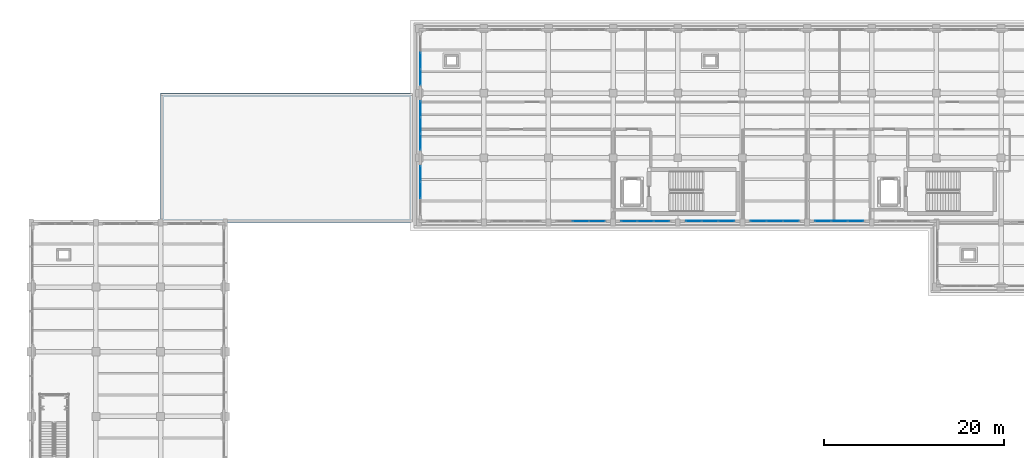
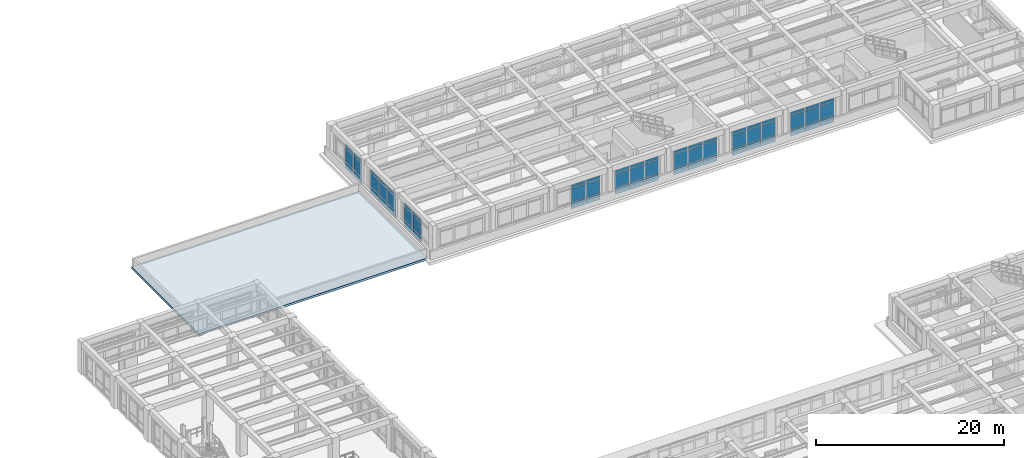
# One storey, part 42 of 69: 63 plates, 1 slab, 8 elements without a shape of their own.
"""IFC4 building model written with IfcOpenShell, lengths in metres."""

from ifc_helpers import new_model, si_unit, direction, frame, origin, origin_2d, place, context, subcontext, project, spatial, polyline, rectangle, outline, extrude, material, layer, layer_set, type_object, element, aggregate, save


model = new_model("IFC4")

# Units and contexts
model_context = context("Model", 3, precision=1e-05, world=origin(), true_north=direction((0.0, 1.0)))
body_context = subcontext(model_context, "Body", "Model", "MODEL_VIEW")
ifc_project = project(units=[si_unit("LENGTHUNIT", "METRE"), si_unit("AREAUNIT", "SQUARE_METRE"), si_unit("VOLUMEUNIT", "CUBIC_METRE"), si_unit("PLANEANGLEUNIT", "RADIAN"), si_unit("MASSUNIT", "GRAM", prefix="KILO")], contexts=[model_context])

# Site, building, storey
site_placement = place(None, origin())
site = spatial("IfcSite", under=ifc_project, at=site_placement, CompositionType="ELEMENT")
building_placement = place(site_placement, origin())
building = spatial("IfcBuilding", under=site, at=building_placement, Name="Solenvale Faculty of Natural Sciences", CompositionType="ELEMENT")
storey_placement = place(building_placement, frame((0.0, 0.0, 4.5)))
storey = spatial("IfcBuildingStorey", under=building, at=storey_placement, Name="L01", CompositionType="ELEMENT", Elevation=4.5)

# Curtain wall, plates
ifc_material_1 = material(Name="Anodised bronze aluminium", Category="aluminium")
ifc_layer_1 = layer(ifc_material_1, 0.179931640625)
ifc_layer_set_1 = layer_set([ifc_layer_1], Name="Anodised bronze aluminium")
curtain_wall_type = type_object("IfcCurtainWallType", Name="CW-TWR-MOD", PredefinedType="USERDEFINED", material=ifc_layer_set_1)
curtain_wall_1_placement = place(storey_placement, origin())
curtain_wall_1 = element("IfcCurtainWall", 1, at=curtain_wall_1_placement, inside=storey, type_object=curtain_wall_type, Name="L01 Curtain Wall CW-L01-P2-E5-B1", ObjectType="UNITISED CURTAIN WALL", PredefinedType="USERDEFINED")
ifc_material_2 = material(Name="North-light skylight glass", Category="glass")
ifc_layer_2 = layer(ifc_material_2, 0.028076171875)
ifc_layer_set_2 = layer_set([ifc_layer_2], Name="North-light skylight glass")
plate_type_1 = type_object("IfcPlateType", Name="CWP-PNL-28", PredefinedType="CURTAIN_PANEL", material=ifc_layer_set_2)
plate_1_placement = place(storey_placement, frame((79.342529296875, 111.60009765625, 0.074951171875), z_axis=(0.0, 0.0, 1.0), x_axis=(0.0, -1.0, 0.0)))
plate_1 = element("IfcPlate", 2, at=plate_1_placement, type_object=plate_type_1, Name="CW-04 panel 2.1", PredefinedType="CURTAIN_PANEL", context=body_context, shape_type="SweptSolid", body=[
    extrude(rectangle(XDim=1.75830078125, YDim=0.028076171875, at=origin_2d()), origin(), (0.0, 0.0, 1.0), 0.78759765625),
])
plate_2_placement = place(storey_placement, frame((79.342529296875, 111.60009765625, 0.9375), z_axis=(0.0, 0.0, 1.0), x_axis=(0.0, -1.0, 0.0)))
plate_2 = element("IfcPlate", 3, at=plate_2_placement, type_object=plate_type_1, Name="CW-04 panel 2.2", PredefinedType="CURTAIN_PANEL", context=body_context, shape_type="SweptSolid", body=[
    extrude(rectangle(XDim=1.75830078125, YDim=0.028076171875, at=origin_2d()), origin(), (0.0, 0.0, 1.0), 1.784912109375),
])
plate_3_placement = place(storey_placement, frame((79.342529296875, 111.60009765625, 2.79736328125), z_axis=(0.0, 0.0, 1.0), x_axis=(0.0, -1.0, 0.0)))
plate_3 = element("IfcPlate", 4, at=plate_3_placement, type_object=plate_type_1, Name="CW-04 panel 2.3", PredefinedType="CURTAIN_PANEL", context=body_context, shape_type="SweptSolid", body=[
    extrude(rectangle(XDim=1.75830078125, YDim=0.028076171875, at=origin_2d()), origin(), (0.0, 0.0, 1.0), 0.387451171875),
])
plate_4_placement = place(storey_placement, frame((79.342529296875, 109.785400390625, 0.074951171875), z_axis=(0.0, 0.0, 1.0), x_axis=(0.0, -1.0, 0.0)))
plate_4 = element("IfcPlate", 5, at=plate_4_placement, type_object=plate_type_1, Name="CW-04 panel 3.1", PredefinedType="CURTAIN_PANEL", context=body_context, shape_type="SweptSolid", body=[
    extrude(rectangle(XDim=1.720947265625, YDim=0.028076171875, at=origin_2d()), origin(), (0.0, 0.0, 1.0), 0.78759765625),
])
plate_5_placement = place(storey_placement, frame((79.342529296875, 109.785400390625, 0.9375), z_axis=(0.0, 0.0, 1.0), x_axis=(0.0, -1.0, 0.0)))
plate_5 = element("IfcPlate", 6, at=plate_5_placement, type_object=plate_type_1, Name="CW-04 panel 3.2", PredefinedType="CURTAIN_PANEL", context=body_context, shape_type="SweptSolid", body=[
    extrude(rectangle(XDim=1.720947265625, YDim=0.028076171875, at=origin_2d()), origin(), (0.0, 0.0, 1.0), 1.784912109375),
])
plate_6_placement = place(storey_placement, frame((79.342529296875, 109.785400390625, 2.79736328125), z_axis=(0.0, 0.0, 1.0), x_axis=(0.0, -1.0, 0.0)))
plate_6 = element("IfcPlate", 7, at=plate_6_placement, type_object=plate_type_1, Name="CW-04 panel 3.3", PredefinedType="CURTAIN_PANEL", context=body_context, shape_type="SweptSolid", body=[
    extrude(rectangle(XDim=1.720947265625, YDim=0.028076171875, at=origin_2d()), origin(), (0.0, 0.0, 1.0), 0.387451171875),
])
aggregate(curtain_wall_1, [plate_1, plate_2, plate_3, plate_4, plate_5, plate_6])

curtain_wall_2_placement = place(storey_placement, origin())
curtain_wall_2 = element("IfcCurtainWall", 8, at=curtain_wall_2_placement, inside=storey, type_object=curtain_wall_type, Name="L01 Curtain Wall CW-L01-P2-E5-B2", ObjectType="UNITISED CURTAIN WALL", PredefinedType="USERDEFINED")
ifc_material_3 = material(Name="Triple low-E insulated glass", Category="glass")
ifc_layer_3 = layer(ifc_material_3, 0.031982421875)
ifc_layer_set_3 = layer_set([ifc_layer_3], Name="Triple low-E insulated glass")
plate_type_2 = type_object("IfcPlateType", Name="CWP-PNL-32", PredefinedType="CURTAIN_PANEL", material=ifc_layer_set_3)
plate_7_placement = place(storey_placement, frame((79.342529296875, 106.214599609375, 0.074951171875), z_axis=(0.0, 0.0, 1.0), x_axis=(0.0, -1.0, 0.0)))
plate_7 = element("IfcPlate", 9, at=plate_7_placement, type_object=plate_type_2, Name="CW-04 panel 1.1", PredefinedType="CURTAIN_PANEL", context=body_context, shape_type="SweptSolid", body=[
    extrude(rectangle(XDim=1.720947265625, YDim=0.031982421875, at=origin_2d()), origin(), (0.0, 0.0, 1.0), 0.78759765625),
])
plate_8_placement = place(storey_placement, frame((79.342529296875, 106.214599609375, 0.9375), z_axis=(0.0, 0.0, 1.0), x_axis=(0.0, -1.0, 0.0)))
plate_8 = element("IfcPlate", 10, at=plate_8_placement, type_object=plate_type_2, Name="CW-04 panel 1.2", PredefinedType="CURTAIN_PANEL", context=body_context, shape_type="SweptSolid", body=[
    extrude(rectangle(XDim=1.720947265625, YDim=0.031982421875, at=origin_2d()), origin(), (0.0, 0.0, 1.0), 1.784912109375),
])
plate_9_placement = place(storey_placement, frame((79.342529296875, 106.214599609375, 2.79736328125), z_axis=(0.0, 0.0, 1.0), x_axis=(0.0, -1.0, 0.0)))
plate_9 = element("IfcPlate", 11, at=plate_9_placement, type_object=plate_type_2, Name="CW-04 panel 1.3", PredefinedType="CURTAIN_PANEL", context=body_context, shape_type="SweptSolid", body=[
    extrude(rectangle(XDim=1.720947265625, YDim=0.031982421875, at=origin_2d()), origin(), (0.0, 0.0, 1.0), 0.387451171875),
])
plate_10_placement = place(storey_placement, frame((79.342529296875, 104.39990234375, 0.074951171875), z_axis=(0.0, 0.0, 1.0), x_axis=(0.0, -1.0, 0.0)))
plate_10 = element("IfcPlate", 12, at=plate_10_placement, type_object=plate_type_2, Name="CW-04 panel 2.1", PredefinedType="CURTAIN_PANEL", context=body_context, shape_type="SweptSolid", body=[
    extrude(rectangle(XDim=1.75830078125, YDim=0.031982421875, at=origin_2d()), origin(), (0.0, 0.0, 1.0), 0.78759765625),
])
plate_11_placement = place(storey_placement, frame((79.342529296875, 104.39990234375, 0.9375), z_axis=(0.0, 0.0, 1.0), x_axis=(0.0, -1.0, 0.0)))
plate_11 = element("IfcPlate", 13, at=plate_11_placement, type_object=plate_type_2, Name="CW-04 panel 2.2", PredefinedType="CURTAIN_PANEL", context=body_context, shape_type="SweptSolid", body=[
    extrude(rectangle(XDim=1.75830078125, YDim=0.031982421875, at=origin_2d()), origin(), (0.0, 0.0, 1.0), 1.784912109375),
])
plate_12_placement = place(storey_placement, frame((79.342529296875, 104.39990234375, 2.79736328125), z_axis=(0.0, 0.0, 1.0), x_axis=(0.0, -1.0, 0.0)))
plate_12 = element("IfcPlate", 14, at=plate_12_placement, type_object=plate_type_2, Name="CW-04 panel 2.3", PredefinedType="CURTAIN_PANEL", context=body_context, shape_type="SweptSolid", body=[
    extrude(rectangle(XDim=1.75830078125, YDim=0.031982421875, at=origin_2d()), origin(), (0.0, 0.0, 1.0), 0.387451171875),
])
plate_13_placement = place(storey_placement, frame((79.342529296875, 102.58544921875, 0.074951171875), z_axis=(0.0, 0.0, 1.0), x_axis=(0.0, -1.0, 0.0)))
plate_13 = element("IfcPlate", 15, at=plate_13_placement, type_object=plate_type_2, Name="CW-04 panel 3.1", PredefinedType="CURTAIN_PANEL", context=body_context, shape_type="SweptSolid", body=[
    extrude(rectangle(XDim=1.720947265625, YDim=0.031982421875, at=origin_2d()), origin(), (0.0, 0.0, 1.0), 0.78759765625),
])
plate_14_placement = place(storey_placement, frame((79.342529296875, 102.58544921875, 0.9375), z_axis=(0.0, 0.0, 1.0), x_axis=(0.0, -1.0, 0.0)))
plate_14 = element("IfcPlate", 16, at=plate_14_placement, type_object=plate_type_2, Name="CW-04 panel 3.2", PredefinedType="CURTAIN_PANEL", context=body_context, shape_type="SweptSolid", body=[
    extrude(rectangle(XDim=1.720947265625, YDim=0.031982421875, at=origin_2d()), origin(), (0.0, 0.0, 1.0), 1.784912109375),
])
plate_15_placement = place(storey_placement, frame((79.342529296875, 102.58544921875, 2.79736328125), z_axis=(0.0, 0.0, 1.0), x_axis=(0.0, -1.0, 0.0)))
plate_15 = element("IfcPlate", 17, at=plate_15_placement, type_object=plate_type_2, Name="CW-04 panel 3.3", PredefinedType="CURTAIN_PANEL", context=body_context, shape_type="SweptSolid", body=[
    extrude(rectangle(XDim=1.720947265625, YDim=0.031982421875, at=origin_2d()), origin(), (0.0, 0.0, 1.0), 0.387451171875),
])
aggregate(curtain_wall_2, [plate_7, plate_8, plate_9, plate_10, plate_11, plate_12, plate_13, plate_14, plate_15])

curtain_wall_3_placement = place(storey_placement, origin())
curtain_wall_3 = element("IfcCurtainWall", 18, at=curtain_wall_3_placement, inside=storey, type_object=curtain_wall_type, Name="L01 Curtain Wall CW-L01-P2-E5-B3", ObjectType="UNITISED CURTAIN WALL", PredefinedType="USERDEFINED")
ifc_layer_4 = layer(ifc_material_3, 0.035888671875)
ifc_layer_set_4 = layer_set([ifc_layer_4], Name="Triple low-E insulated glass")
plate_type_3 = type_object("IfcPlateType", Name="CWP-PNL-36", PredefinedType="CURTAIN_PANEL", material=ifc_layer_set_4)
plate_16_placement = place(storey_placement, frame((79.342529296875, 99.0146484375, 0.074951171875), z_axis=(0.0, 0.0, 1.0), x_axis=(0.0, -1.0, 0.0)))
plate_16 = element("IfcPlate", 19, at=plate_16_placement, type_object=plate_type_3, Name="CW-04 panel 1.1", PredefinedType="CURTAIN_PANEL", context=body_context, shape_type="SweptSolid", body=[
    extrude(rectangle(XDim=1.720947265625, YDim=0.035888671875, at=origin_2d()), origin(), (0.0, 0.0, 1.0), 0.78759765625),
])
plate_17_placement = place(storey_placement, frame((79.342529296875, 99.0146484375, 0.9375), z_axis=(0.0, 0.0, 1.0), x_axis=(0.0, -1.0, 0.0)))
plate_17 = element("IfcPlate", 20, at=plate_17_placement, type_object=plate_type_3, Name="CW-04 panel 1.2", PredefinedType="CURTAIN_PANEL", context=body_context, shape_type="SweptSolid", body=[
    extrude(rectangle(XDim=1.720947265625, YDim=0.035888671875, at=origin_2d()), origin(), (0.0, 0.0, 1.0), 1.784912109375),
])
plate_18_placement = place(storey_placement, frame((79.342529296875, 99.0146484375, 2.79736328125), z_axis=(0.0, 0.0, 1.0), x_axis=(0.0, -1.0, 0.0)))
plate_18 = element("IfcPlate", 21, at=plate_18_placement, type_object=plate_type_3, Name="CW-04 panel 1.3", PredefinedType="CURTAIN_PANEL", context=body_context, shape_type="SweptSolid", body=[
    extrude(rectangle(XDim=1.720947265625, YDim=0.035888671875, at=origin_2d()), origin(), (0.0, 0.0, 1.0), 0.387451171875),
])
plate_19_placement = place(storey_placement, frame((79.342529296875, 97.199951171875, 0.074951171875), z_axis=(0.0, 0.0, 1.0), x_axis=(0.0, -1.0, 0.0)))
plate_19 = element("IfcPlate", 22, at=plate_19_placement, type_object=plate_type_3, Name="CW-04 panel 2.1", PredefinedType="CURTAIN_PANEL", context=body_context, shape_type="SweptSolid", body=[
    extrude(rectangle(XDim=1.75830078125, YDim=0.035888671875, at=origin_2d()), origin(), (0.0, 0.0, 1.0), 0.78759765625),
])
plate_20_placement = place(storey_placement, frame((79.342529296875, 97.199951171875, 0.9375), z_axis=(0.0, 0.0, 1.0), x_axis=(0.0, -1.0, 0.0)))
plate_20 = element("IfcPlate", 23, at=plate_20_placement, type_object=plate_type_3, Name="CW-04 panel 2.2", PredefinedType="CURTAIN_PANEL", context=body_context, shape_type="SweptSolid", body=[
    extrude(rectangle(XDim=1.75830078125, YDim=0.035888671875, at=origin_2d()), origin(), (0.0, 0.0, 1.0), 1.784912109375),
])
plate_21_placement = place(storey_placement, frame((79.342529296875, 97.199951171875, 2.79736328125), z_axis=(0.0, 0.0, 1.0), x_axis=(0.0, -1.0, 0.0)))
plate_21 = element("IfcPlate", 24, at=plate_21_placement, type_object=plate_type_3, Name="CW-04 panel 2.3", PredefinedType="CURTAIN_PANEL", context=body_context, shape_type="SweptSolid", body=[
    extrude(rectangle(XDim=1.75830078125, YDim=0.035888671875, at=origin_2d()), origin(), (0.0, 0.0, 1.0), 0.387451171875),
])
aggregate(curtain_wall_3, [plate_16, plate_17, plate_18, plate_19, plate_20, plate_21])

curtain_wall_4_placement = place(storey_placement, origin())
curtain_wall_4 = element("IfcCurtainWall", 25, at=curtain_wall_4_placement, inside=storey, type_object=curtain_wall_type, Name="L01 Curtain Wall CW-L01-P2-E6-B3", ObjectType="UNITISED CURTAIN WALL", PredefinedType="USERDEFINED")
ifc_layer_5 = layer(ifc_material_3, 0.0400390625)
ifc_layer_set_5 = layer_set([ifc_layer_5], Name="Triple low-E insulated glass")
plate_type_4 = type_object("IfcPlateType", Name="CWP-PNL-40", PredefinedType="CURTAIN_PANEL", material=ifc_layer_set_5)
plate_22_placement = place(storey_placement, frame((97.199951171875, 93.742431640625, 0.074951171875), z_axis=(0.0, 0.0, 1.0), x_axis=(1.0, 0.0, 0.0)))
plate_22 = element("IfcPlate", 26, at=plate_22_placement, type_object=plate_type_4, Name="CW-04 panel 2.1", PredefinedType="CURTAIN_PANEL", context=body_context, shape_type="SweptSolid", body=[
    extrude(rectangle(XDim=1.75830078125, YDim=0.0400390625, at=origin_2d()), origin(), (0.0, 0.0, 1.0), 0.78759765625),
])
plate_23_placement = place(storey_placement, frame((97.199951171875, 93.742431640625, 0.9375), z_axis=(0.0, 0.0, 1.0), x_axis=(1.0, 0.0, 0.0)))
plate_23 = element("IfcPlate", 27, at=plate_23_placement, type_object=plate_type_4, Name="CW-04 panel 2.2", PredefinedType="CURTAIN_PANEL", context=body_context, shape_type="SweptSolid", body=[
    extrude(rectangle(XDim=1.75830078125, YDim=0.0400390625, at=origin_2d()), origin(), (0.0, 0.0, 1.0), 1.784912109375),
])
plate_24_placement = place(storey_placement, frame((97.199951171875, 93.742431640625, 2.79736328125), z_axis=(0.0, 0.0, 1.0), x_axis=(1.0, 0.0, 0.0)))
plate_24 = element("IfcPlate", 28, at=plate_24_placement, type_object=plate_type_4, Name="CW-04 panel 2.3", PredefinedType="CURTAIN_PANEL", context=body_context, shape_type="SweptSolid", body=[
    extrude(rectangle(XDim=1.75830078125, YDim=0.0400390625, at=origin_2d()), origin(), (0.0, 0.0, 1.0), 0.387451171875),
])
plate_25_placement = place(storey_placement, frame((99.0146484375, 93.742431640625, 0.074951171875), z_axis=(0.0, 0.0, 1.0), x_axis=(1.0, 0.0, 0.0)))
plate_25 = element("IfcPlate", 29, at=plate_25_placement, type_object=plate_type_4, Name="CW-04 panel 3.1", PredefinedType="CURTAIN_PANEL", context=body_context, shape_type="SweptSolid", body=[
    extrude(rectangle(XDim=1.720947265625, YDim=0.0400390625, at=origin_2d()), origin(), (0.0, 0.0, 1.0), 0.78759765625),
])
plate_26_placement = place(storey_placement, frame((99.0146484375, 93.742431640625, 0.9375), z_axis=(0.0, 0.0, 1.0), x_axis=(1.0, 0.0, 0.0)))
plate_26 = element("IfcPlate", 30, at=plate_26_placement, type_object=plate_type_4, Name="CW-04 panel 3.2", PredefinedType="CURTAIN_PANEL", context=body_context, shape_type="SweptSolid", body=[
    extrude(rectangle(XDim=1.720947265625, YDim=0.0400390625, at=origin_2d()), origin(), (0.0, 0.0, 1.0), 1.784912109375),
])
plate_27_placement = place(storey_placement, frame((99.0146484375, 93.742431640625, 2.79736328125), z_axis=(0.0, 0.0, 1.0), x_axis=(1.0, 0.0, 0.0)))
plate_27 = element("IfcPlate", 31, at=plate_27_placement, type_object=plate_type_4, Name="CW-04 panel 3.3", PredefinedType="CURTAIN_PANEL", context=body_context, shape_type="SweptSolid", body=[
    extrude(rectangle(XDim=1.720947265625, YDim=0.0400390625, at=origin_2d()), origin(), (0.0, 0.0, 1.0), 0.387451171875),
])
aggregate(curtain_wall_4, [plate_22, plate_23, plate_24, plate_25, plate_26, plate_27])

curtain_wall_5_placement = place(storey_placement, origin())
curtain_wall_5 = element("IfcCurtainWall", 32, at=curtain_wall_5_placement, inside=storey, type_object=curtain_wall_type, Name="L01 Curtain Wall CW-L01-P2-E6-B4", ObjectType="UNITISED CURTAIN WALL", PredefinedType="USERDEFINED")
ifc_layer_6 = layer(ifc_material_3, 0.0439453125)
ifc_layer_set_6 = layer_set([ifc_layer_6], Name="Triple low-E insulated glass")
plate_type_5 = type_object("IfcPlateType", Name="CWP-PNL-44", PredefinedType="CURTAIN_PANEL", material=ifc_layer_set_6)
plate_28_placement = place(storey_placement, frame((102.58544921875, 93.742431640625, 0.074951171875), z_axis=(0.0, 0.0, 1.0), x_axis=(1.0, 0.0, 0.0)))
plate_28 = element("IfcPlate", 33, at=plate_28_placement, type_object=plate_type_5, Name="CW-04 panel 1.1", PredefinedType="CURTAIN_PANEL", context=body_context, shape_type="SweptSolid", body=[
    extrude(rectangle(XDim=1.720947265625, YDim=0.0439453125, at=origin_2d()), origin(), (0.0, 0.0, 1.0), 0.78759765625),
])
plate_29_placement = place(storey_placement, frame((102.58544921875, 93.742431640625, 0.9375), z_axis=(0.0, 0.0, 1.0), x_axis=(1.0, 0.0, 0.0)))
plate_29 = element("IfcPlate", 34, at=plate_29_placement, type_object=plate_type_5, Name="CW-04 panel 1.2", PredefinedType="CURTAIN_PANEL", context=body_context, shape_type="SweptSolid", body=[
    extrude(rectangle(XDim=1.720947265625, YDim=0.0439453125, at=origin_2d()), origin(), (0.0, 0.0, 1.0), 1.784912109375),
])
plate_30_placement = place(storey_placement, frame((102.58544921875, 93.742431640625, 2.79736328125), z_axis=(0.0, 0.0, 1.0), x_axis=(1.0, 0.0, 0.0)))
plate_30 = element("IfcPlate", 35, at=plate_30_placement, type_object=plate_type_5, Name="CW-04 panel 1.3", PredefinedType="CURTAIN_PANEL", context=body_context, shape_type="SweptSolid", body=[
    extrude(rectangle(XDim=1.720947265625, YDim=0.0439453125, at=origin_2d()), origin(), (0.0, 0.0, 1.0), 0.387451171875),
])
plate_31_placement = place(storey_placement, frame((104.39990234375, 93.742431640625, 0.074951171875), z_axis=(0.0, 0.0, 1.0), x_axis=(1.0, 0.0, 0.0)))
plate_31 = element("IfcPlate", 36, at=plate_31_placement, type_object=plate_type_5, Name="CW-04 panel 2.1", PredefinedType="CURTAIN_PANEL", context=body_context, shape_type="SweptSolid", body=[
    extrude(rectangle(XDim=1.75830078125, YDim=0.0439453125, at=origin_2d()), origin(), (0.0, 0.0, 1.0), 0.78759765625),
])
plate_32_placement = place(storey_placement, frame((104.39990234375, 93.742431640625, 0.9375), z_axis=(0.0, 0.0, 1.0), x_axis=(1.0, 0.0, 0.0)))
plate_32 = element("IfcPlate", 37, at=plate_32_placement, type_object=plate_type_5, Name="CW-04 panel 2.2", PredefinedType="CURTAIN_PANEL", context=body_context, shape_type="SweptSolid", body=[
    extrude(rectangle(XDim=1.75830078125, YDim=0.0439453125, at=origin_2d()), origin(), (0.0, 0.0, 1.0), 1.784912109375),
])
plate_33_placement = place(storey_placement, frame((104.39990234375, 93.742431640625, 2.79736328125), z_axis=(0.0, 0.0, 1.0), x_axis=(1.0, 0.0, 0.0)))
plate_33 = element("IfcPlate", 38, at=plate_33_placement, type_object=plate_type_5, Name="CW-04 panel 2.3", PredefinedType="CURTAIN_PANEL", context=body_context, shape_type="SweptSolid", body=[
    extrude(rectangle(XDim=1.75830078125, YDim=0.0439453125, at=origin_2d()), origin(), (0.0, 0.0, 1.0), 0.387451171875),
])
plate_34_placement = place(storey_placement, frame((106.214599609375, 93.742431640625, 0.074951171875), z_axis=(0.0, 0.0, 1.0), x_axis=(1.0, 0.0, 0.0)))
plate_34 = element("IfcPlate", 39, at=plate_34_placement, type_object=plate_type_5, Name="CW-04 panel 3.1", PredefinedType="CURTAIN_PANEL", context=body_context, shape_type="SweptSolid", body=[
    extrude(rectangle(XDim=1.720947265625, YDim=0.0439453125, at=origin_2d()), origin(), (0.0, 0.0, 1.0), 0.78759765625),
])
plate_35_placement = place(storey_placement, frame((106.214599609375, 93.742431640625, 0.9375), z_axis=(0.0, 0.0, 1.0), x_axis=(1.0, 0.0, 0.0)))
plate_35 = element("IfcPlate", 40, at=plate_35_placement, type_object=plate_type_5, Name="CW-04 panel 3.2", PredefinedType="CURTAIN_PANEL", context=body_context, shape_type="SweptSolid", body=[
    extrude(rectangle(XDim=1.720947265625, YDim=0.0439453125, at=origin_2d()), origin(), (0.0, 0.0, 1.0), 1.784912109375),
])
plate_36_placement = place(storey_placement, frame((106.214599609375, 93.742431640625, 2.79736328125), z_axis=(0.0, 0.0, 1.0), x_axis=(1.0, 0.0, 0.0)))
plate_36 = element("IfcPlate", 41, at=plate_36_placement, type_object=plate_type_5, Name="CW-04 panel 3.3", PredefinedType="CURTAIN_PANEL", context=body_context, shape_type="SweptSolid", body=[
    extrude(rectangle(XDim=1.720947265625, YDim=0.0439453125, at=origin_2d()), origin(), (0.0, 0.0, 1.0), 0.387451171875),
])
aggregate(curtain_wall_5, [plate_28, plate_29, plate_30, plate_31, plate_32, plate_33, plate_34, plate_35, plate_36])

curtain_wall_6_placement = place(storey_placement, origin())
curtain_wall_6 = element("IfcCurtainWall", 42, at=curtain_wall_6_placement, inside=storey, type_object=curtain_wall_type, Name="L01 Curtain Wall CW-L01-P2-E6-B5", ObjectType="UNITISED CURTAIN WALL", PredefinedType="USERDEFINED")
ifc_layer_7 = layer(ifc_material_1, 0.048095703125)
ifc_layer_set_7 = layer_set([ifc_layer_7], Name="Anodised bronze aluminium")
plate_type_6 = type_object("IfcPlateType", Name="CWP-PNL-48", PredefinedType="CURTAIN_PANEL", material=ifc_layer_set_7)
plate_37_placement = place(storey_placement, frame((109.785400390625, 93.742431640625, 0.074951171875), z_axis=(0.0, 0.0, 1.0), x_axis=(1.0, 0.0, 0.0)))
plate_37 = element("IfcPlate", 43, at=plate_37_placement, type_object=plate_type_6, Name="CW-04 panel 1.1", PredefinedType="CURTAIN_PANEL", context=body_context, shape_type="SweptSolid", body=[
    extrude(rectangle(XDim=1.720947265625, YDim=0.048095703125, at=origin_2d()), origin(), (0.0, 0.0, 1.0), 0.78759765625),
])
plate_38_placement = place(storey_placement, frame((109.785400390625, 93.742431640625, 0.9375), z_axis=(0.0, 0.0, 1.0), x_axis=(1.0, 0.0, 0.0)))
plate_38 = element("IfcPlate", 44, at=plate_38_placement, type_object=plate_type_6, Name="CW-04 panel 1.2", PredefinedType="CURTAIN_PANEL", context=body_context, shape_type="SweptSolid", body=[
    extrude(rectangle(XDim=1.720947265625, YDim=0.048095703125, at=origin_2d()), origin(), (0.0, 0.0, 1.0), 1.784912109375),
])
plate_39_placement = place(storey_placement, frame((109.785400390625, 93.742431640625, 2.79736328125), z_axis=(0.0, 0.0, 1.0), x_axis=(1.0, 0.0, 0.0)))
plate_39 = element("IfcPlate", 45, at=plate_39_placement, type_object=plate_type_6, Name="CW-04 panel 1.3", PredefinedType="CURTAIN_PANEL", context=body_context, shape_type="SweptSolid", body=[
    extrude(rectangle(XDim=1.720947265625, YDim=0.048095703125, at=origin_2d()), origin(), (0.0, 0.0, 1.0), 0.387451171875),
])
plate_40_placement = place(storey_placement, frame((111.60009765625, 93.742431640625, 0.074951171875), z_axis=(0.0, 0.0, 1.0), x_axis=(1.0, 0.0, 0.0)))
plate_40 = element("IfcPlate", 46, at=plate_40_placement, type_object=plate_type_6, Name="CW-04 panel 2.1", PredefinedType="CURTAIN_PANEL", context=body_context, shape_type="SweptSolid", body=[
    extrude(rectangle(XDim=1.75830078125, YDim=0.048095703125, at=origin_2d()), origin(), (0.0, 0.0, 1.0), 0.78759765625),
])
plate_41_placement = place(storey_placement, frame((111.60009765625, 93.742431640625, 0.9375), z_axis=(0.0, 0.0, 1.0), x_axis=(1.0, 0.0, 0.0)))
plate_41 = element("IfcPlate", 47, at=plate_41_placement, type_object=plate_type_6, Name="CW-04 panel 2.2", PredefinedType="CURTAIN_PANEL", context=body_context, shape_type="SweptSolid", body=[
    extrude(rectangle(XDim=1.75830078125, YDim=0.048095703125, at=origin_2d()), origin(), (0.0, 0.0, 1.0), 1.784912109375),
])
plate_42_placement = place(storey_placement, frame((111.60009765625, 93.742431640625, 2.79736328125), z_axis=(0.0, 0.0, 1.0), x_axis=(1.0, 0.0, 0.0)))
plate_42 = element("IfcPlate", 48, at=plate_42_placement, type_object=plate_type_6, Name="CW-04 panel 2.3", PredefinedType="CURTAIN_PANEL", context=body_context, shape_type="SweptSolid", body=[
    extrude(rectangle(XDim=1.75830078125, YDim=0.048095703125, at=origin_2d()), origin(), (0.0, 0.0, 1.0), 0.387451171875),
])
plate_43_placement = place(storey_placement, frame((113.41455078125, 93.742431640625, 0.074951171875), z_axis=(0.0, 0.0, 1.0), x_axis=(1.0, 0.0, 0.0)))
plate_43 = element("IfcPlate", 49, at=plate_43_placement, type_object=plate_type_6, Name="CW-04 panel 3.1", PredefinedType="CURTAIN_PANEL", context=body_context, shape_type="SweptSolid", body=[
    extrude(rectangle(XDim=1.720947265625, YDim=0.048095703125, at=origin_2d()), origin(), (0.0, 0.0, 1.0), 0.78759765625),
])
plate_44_placement = place(storey_placement, frame((113.41455078125, 93.742431640625, 0.9375), z_axis=(0.0, 0.0, 1.0), x_axis=(1.0, 0.0, 0.0)))
plate_44 = element("IfcPlate", 50, at=plate_44_placement, type_object=plate_type_6, Name="CW-04 panel 3.2", PredefinedType="CURTAIN_PANEL", context=body_context, shape_type="SweptSolid", body=[
    extrude(rectangle(XDim=1.720947265625, YDim=0.048095703125, at=origin_2d()), origin(), (0.0, 0.0, 1.0), 1.784912109375),
])
plate_45_placement = place(storey_placement, frame((113.41455078125, 93.742431640625, 2.79736328125), z_axis=(0.0, 0.0, 1.0), x_axis=(1.0, 0.0, 0.0)))
plate_45 = element("IfcPlate", 51, at=plate_45_placement, type_object=plate_type_6, Name="CW-04 panel 3.3", PredefinedType="CURTAIN_PANEL", context=body_context, shape_type="SweptSolid", body=[
    extrude(rectangle(XDim=1.720947265625, YDim=0.048095703125, at=origin_2d()), origin(), (0.0, 0.0, 1.0), 0.387451171875),
])
aggregate(curtain_wall_6, [plate_37, plate_38, plate_39, plate_40, plate_41, plate_42, plate_43, plate_44, plate_45])

curtain_wall_7_placement = place(storey_placement, origin())
curtain_wall_7 = element("IfcCurtainWall", 52, at=curtain_wall_7_placement, inside=storey, type_object=curtain_wall_type, Name="L01 Curtain Wall CW-L01-P2-E6-B6", ObjectType="UNITISED CURTAIN WALL", PredefinedType="USERDEFINED")
ifc_layer_8 = layer(ifc_material_1, 0.053955078125)
ifc_layer_set_8 = layer_set([ifc_layer_8], Name="Anodised bronze aluminium")
plate_type_7 = type_object("IfcPlateType", Name="CWP-PNL-54", PredefinedType="CURTAIN_PANEL", material=ifc_layer_set_8)
plate_46_placement = place(storey_placement, frame((116.9853515625, 93.742431640625, 0.074951171875), z_axis=(0.0, 0.0, 1.0), x_axis=(1.0, 0.0, 0.0)))
plate_46 = element("IfcPlate", 53, at=plate_46_placement, type_object=plate_type_7, Name="CW-04 panel 1.1", PredefinedType="CURTAIN_PANEL", context=body_context, shape_type="SweptSolid", body=[
    extrude(rectangle(XDim=1.720947265625, YDim=0.053955078125, at=origin_2d()), origin(), (0.0, 0.0, 1.0), 0.78759765625),
])
plate_47_placement = place(storey_placement, frame((116.9853515625, 93.742431640625, 0.9375), z_axis=(0.0, 0.0, 1.0), x_axis=(1.0, 0.0, 0.0)))
plate_47 = element("IfcPlate", 54, at=plate_47_placement, type_object=plate_type_7, Name="CW-04 panel 1.2", PredefinedType="CURTAIN_PANEL", context=body_context, shape_type="SweptSolid", body=[
    extrude(rectangle(XDim=1.720947265625, YDim=0.053955078125, at=origin_2d()), origin(), (0.0, 0.0, 1.0), 1.784912109375),
])
plate_48_placement = place(storey_placement, frame((116.9853515625, 93.742431640625, 2.79736328125), z_axis=(0.0, 0.0, 1.0), x_axis=(1.0, 0.0, 0.0)))
plate_48 = element("IfcPlate", 55, at=plate_48_placement, type_object=plate_type_7, Name="CW-04 panel 1.3", PredefinedType="CURTAIN_PANEL", context=body_context, shape_type="SweptSolid", body=[
    extrude(rectangle(XDim=1.720947265625, YDim=0.053955078125, at=origin_2d()), origin(), (0.0, 0.0, 1.0), 0.387451171875),
])
plate_49_placement = place(storey_placement, frame((118.800048828125, 93.742431640625, 0.074951171875), z_axis=(0.0, 0.0, 1.0), x_axis=(1.0, 0.0, 0.0)))
plate_49 = element("IfcPlate", 56, at=plate_49_placement, type_object=plate_type_7, Name="CW-04 panel 2.1", PredefinedType="CURTAIN_PANEL", context=body_context, shape_type="SweptSolid", body=[
    extrude(rectangle(XDim=1.75830078125, YDim=0.053955078125, at=origin_2d()), origin(), (0.0, 0.0, 1.0), 0.78759765625),
])
plate_50_placement = place(storey_placement, frame((118.800048828125, 93.742431640625, 0.9375), z_axis=(0.0, 0.0, 1.0), x_axis=(1.0, 0.0, 0.0)))
plate_50 = element("IfcPlate", 57, at=plate_50_placement, type_object=plate_type_7, Name="CW-04 panel 2.2", PredefinedType="CURTAIN_PANEL", context=body_context, shape_type="SweptSolid", body=[
    extrude(rectangle(XDim=1.75830078125, YDim=0.053955078125, at=origin_2d()), origin(), (0.0, 0.0, 1.0), 1.784912109375),
])
plate_51_placement = place(storey_placement, frame((118.800048828125, 93.742431640625, 2.79736328125), z_axis=(0.0, 0.0, 1.0), x_axis=(1.0, 0.0, 0.0)))
plate_51 = element("IfcPlate", 58, at=plate_51_placement, type_object=plate_type_7, Name="CW-04 panel 2.3", PredefinedType="CURTAIN_PANEL", context=body_context, shape_type="SweptSolid", body=[
    extrude(rectangle(XDim=1.75830078125, YDim=0.053955078125, at=origin_2d()), origin(), (0.0, 0.0, 1.0), 0.387451171875),
])
plate_52_placement = place(storey_placement, frame((120.614501953125, 93.742431640625, 0.074951171875), z_axis=(0.0, 0.0, 1.0), x_axis=(1.0, 0.0, 0.0)))
plate_52 = element("IfcPlate", 59, at=plate_52_placement, type_object=plate_type_7, Name="CW-04 panel 3.1", PredefinedType="CURTAIN_PANEL", context=body_context, shape_type="SweptSolid", body=[
    extrude(rectangle(XDim=1.720947265625, YDim=0.053955078125, at=origin_2d()), origin(), (0.0, 0.0, 1.0), 0.78759765625),
])
plate_53_placement = place(storey_placement, frame((120.614501953125, 93.742431640625, 0.9375), z_axis=(0.0, 0.0, 1.0), x_axis=(1.0, 0.0, 0.0)))
plate_53 = element("IfcPlate", 60, at=plate_53_placement, type_object=plate_type_7, Name="CW-04 panel 3.2", PredefinedType="CURTAIN_PANEL", context=body_context, shape_type="SweptSolid", body=[
    extrude(rectangle(XDim=1.720947265625, YDim=0.053955078125, at=origin_2d()), origin(), (0.0, 0.0, 1.0), 1.784912109375),
])
plate_54_placement = place(storey_placement, frame((120.614501953125, 93.742431640625, 2.79736328125), z_axis=(0.0, 0.0, 1.0), x_axis=(1.0, 0.0, 0.0)))
plate_54 = element("IfcPlate", 61, at=plate_54_placement, type_object=plate_type_7, Name="CW-04 panel 3.3", PredefinedType="CURTAIN_PANEL", context=body_context, shape_type="SweptSolid", body=[
    extrude(rectangle(XDim=1.720947265625, YDim=0.053955078125, at=origin_2d()), origin(), (0.0, 0.0, 1.0), 0.387451171875),
])
aggregate(curtain_wall_7, [plate_46, plate_47, plate_48, plate_49, plate_50, plate_51, plate_52, plate_53, plate_54])

curtain_wall_8_placement = place(storey_placement, origin())
curtain_wall_8 = element("IfcCurtainWall", 62, at=curtain_wall_8_placement, inside=storey, type_object=curtain_wall_type, Name="L01 Curtain Wall CW-L01-P2-E6-B7", ObjectType="UNITISED CURTAIN WALL", PredefinedType="USERDEFINED")
ifc_layer_9 = layer(ifc_material_1, 0.06005859375)
ifc_layer_set_9 = layer_set([ifc_layer_9], Name="Anodised bronze aluminium")
plate_type_8 = type_object("IfcPlateType", Name="CWP-PNL-60", PredefinedType="CURTAIN_PANEL", material=ifc_layer_set_9)
plate_55_placement = place(storey_placement, frame((124.185302734375, 93.742431640625, 0.074951171875), z_axis=(0.0, 0.0, 1.0), x_axis=(1.0, 0.0, 0.0)))
plate_55 = element("IfcPlate", 63, at=plate_55_placement, type_object=plate_type_8, Name="CW-04 panel 1.1", PredefinedType="CURTAIN_PANEL", context=body_context, shape_type="SweptSolid", body=[
    extrude(rectangle(XDim=1.720947265625, YDim=0.06005859375, at=origin_2d()), origin(), (0.0, 0.0, 1.0), 0.78759765625),
])
plate_56_placement = place(storey_placement, frame((124.185302734375, 93.742431640625, 0.9375), z_axis=(0.0, 0.0, 1.0), x_axis=(1.0, 0.0, 0.0)))
plate_56 = element("IfcPlate", 64, at=plate_56_placement, type_object=plate_type_8, Name="CW-04 panel 1.2", PredefinedType="CURTAIN_PANEL", context=body_context, shape_type="SweptSolid", body=[
    extrude(rectangle(XDim=1.720947265625, YDim=0.06005859375, at=origin_2d()), origin(), (0.0, 0.0, 1.0), 1.784912109375),
])
plate_57_placement = place(storey_placement, frame((124.185302734375, 93.742431640625, 2.79736328125), z_axis=(0.0, 0.0, 1.0), x_axis=(1.0, 0.0, 0.0)))
plate_57 = element("IfcPlate", 65, at=plate_57_placement, type_object=plate_type_8, Name="CW-04 panel 1.3", PredefinedType="CURTAIN_PANEL", context=body_context, shape_type="SweptSolid", body=[
    extrude(rectangle(XDim=1.720947265625, YDim=0.06005859375, at=origin_2d()), origin(), (0.0, 0.0, 1.0), 0.387451171875),
])
plate_58_placement = place(storey_placement, frame((126.0, 93.742431640625, 0.074951171875), z_axis=(0.0, 0.0, 1.0), x_axis=(1.0, 0.0, 0.0)))
plate_58 = element("IfcPlate", 66, at=plate_58_placement, type_object=plate_type_8, Name="CW-04 panel 2.1", PredefinedType="CURTAIN_PANEL", context=body_context, shape_type="SweptSolid", body=[
    extrude(rectangle(XDim=1.75830078125, YDim=0.06005859375, at=origin_2d()), origin(), (0.0, 0.0, 1.0), 0.78759765625),
])
plate_59_placement = place(storey_placement, frame((126.0, 93.742431640625, 0.9375), z_axis=(0.0, 0.0, 1.0), x_axis=(1.0, 0.0, 0.0)))
plate_59 = element("IfcPlate", 67, at=plate_59_placement, type_object=plate_type_8, Name="CW-04 panel 2.2", PredefinedType="CURTAIN_PANEL", context=body_context, shape_type="SweptSolid", body=[
    extrude(rectangle(XDim=1.75830078125, YDim=0.06005859375, at=origin_2d()), origin(), (0.0, 0.0, 1.0), 1.784912109375),
])
plate_60_placement = place(storey_placement, frame((126.0, 93.742431640625, 2.79736328125), z_axis=(0.0, 0.0, 1.0), x_axis=(1.0, 0.0, 0.0)))
plate_60 = element("IfcPlate", 68, at=plate_60_placement, type_object=plate_type_8, Name="CW-04 panel 2.3", PredefinedType="CURTAIN_PANEL", context=body_context, shape_type="SweptSolid", body=[
    extrude(rectangle(XDim=1.75830078125, YDim=0.06005859375, at=origin_2d()), origin(), (0.0, 0.0, 1.0), 0.387451171875),
])
plate_61_placement = place(storey_placement, frame((127.814697265625, 93.742431640625, 0.074951171875), z_axis=(0.0, 0.0, 1.0), x_axis=(1.0, 0.0, 0.0)))
plate_61 = element("IfcPlate", 69, at=plate_61_placement, type_object=plate_type_8, Name="CW-04 panel 3.1", PredefinedType="CURTAIN_PANEL", context=body_context, shape_type="SweptSolid", body=[
    extrude(rectangle(XDim=1.720947265625, YDim=0.06005859375, at=origin_2d()), origin(), (0.0, 0.0, 1.0), 0.78759765625),
])
plate_62_placement = place(storey_placement, frame((127.814697265625, 93.742431640625, 0.9375), z_axis=(0.0, 0.0, 1.0), x_axis=(1.0, 0.0, 0.0)))
plate_62 = element("IfcPlate", 70, at=plate_62_placement, type_object=plate_type_8, Name="CW-04 panel 3.2", PredefinedType="CURTAIN_PANEL", context=body_context, shape_type="SweptSolid", body=[
    extrude(rectangle(XDim=1.720947265625, YDim=0.06005859375, at=origin_2d()), origin(), (0.0, 0.0, 1.0), 1.784912109375),
])
plate_63_placement = place(storey_placement, frame((127.814697265625, 93.742431640625, 2.79736328125), z_axis=(0.0, 0.0, 1.0), x_axis=(1.0, 0.0, 0.0)))
plate_63 = element("IfcPlate", 71, at=plate_63_placement, type_object=plate_type_8, Name="CW-04 panel 3.3", PredefinedType="CURTAIN_PANEL", context=body_context, shape_type="SweptSolid", body=[
    extrude(rectangle(XDim=1.720947265625, YDim=0.06005859375, at=origin_2d()), origin(), (0.0, 0.0, 1.0), 0.387451171875),
])
aggregate(curtain_wall_8, [plate_55, plate_56, plate_57, plate_58, plate_59, plate_60, plate_61, plate_62, plate_63])

# Slab
ifc_material_4 = material(Name="Concrete 40 MPa", Category="concrete")
ifc_layer_10 = layer(ifc_material_4, 0.280029296875)
ifc_layer_set_10 = layer_set([ifc_layer_10], Name="Concrete 40 MPa")
slab_type = type_object("IfcSlabType", Name="SL-ROOF-280", PredefinedType="ROOF", material=ifc_layer_set_10)
slab_placement = place(storey_placement, frame((0.0, 0.0, -0.280029296875)))
element("IfcSlab", 72, at=slab_placement, inside=storey, type_object=slab_type, Name="L01 Flat Roof Deck 2", PredefinedType="ROOF", context=body_context, shape_type="SweptSolid", body=[
    extrude(outline(polyline([(78.52001953125, 108.0), (78.52001953125, 93.60009765625), (50.39990234375, 93.60009765625), (50.39990234375, 108.0), (78.52001953125, 108.0)])), origin(), (0.0, 0.0, 1.0), 0.280029296875),
])

save(model, "model.ifc")
